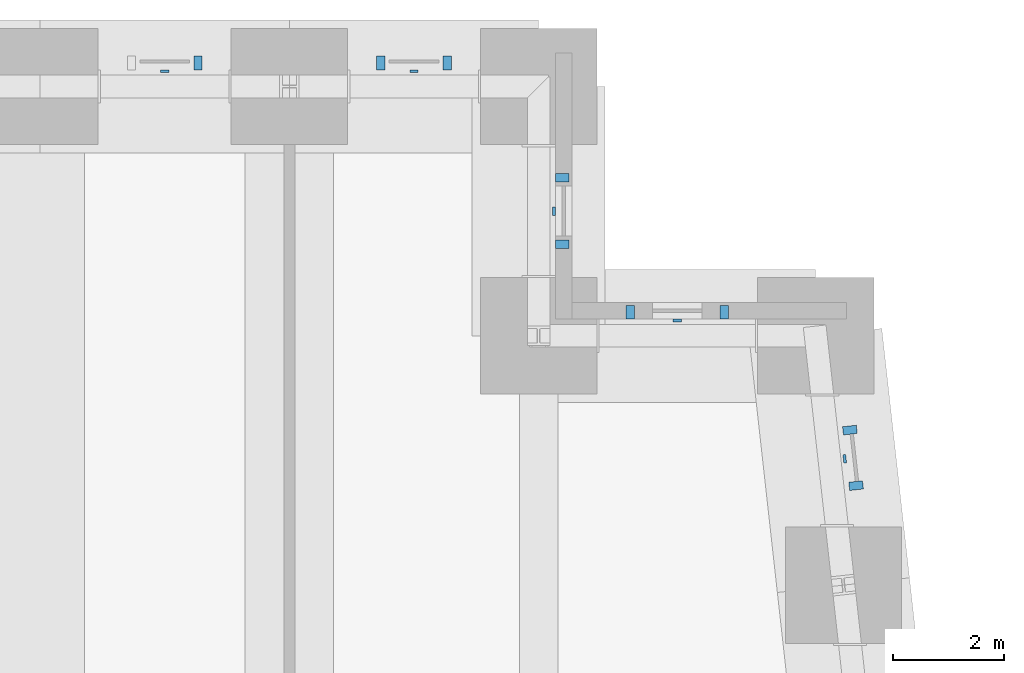
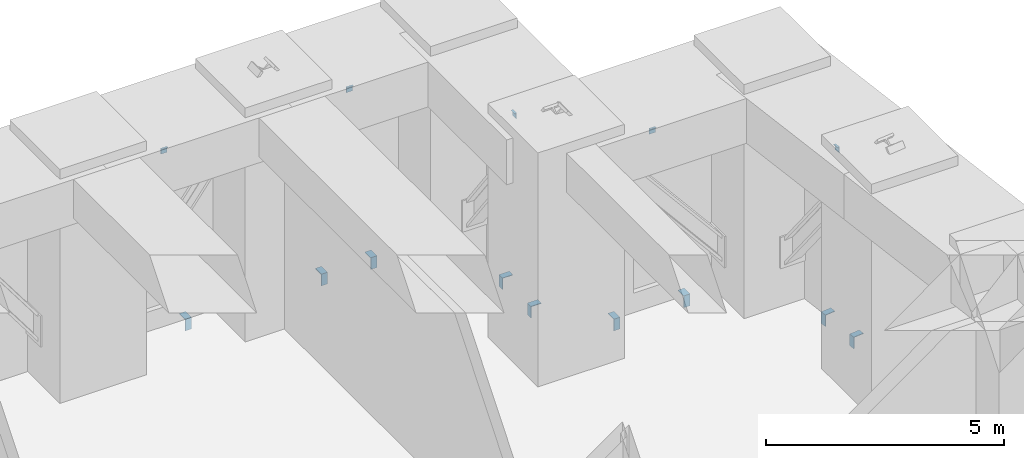
# One storey, part 15 of 17: 14 discrete accessories.
"""IFC4 building model written with IfcOpenShell, lengths in metres."""

from ifc_helpers import new_model, si_unit, direction, frame, origin, place, context, subcontext, project, spatial, polyline, outline, extrude, source, transform, mapped, material, layer, layer_set, type_object, element, save


model = new_model("IFC4")

# Units and contexts
model_context = context("Model", 3, precision=1e-05, world=origin(), true_north=direction((0.0, 1.0)))
body_context = subcontext(model_context, "Body", "Model", "MODEL_VIEW")
ifc_project = project(units=[si_unit("LENGTHUNIT", "METRE"), si_unit("AREAUNIT", "SQUARE_METRE"), si_unit("VOLUMEUNIT", "CUBIC_METRE"), si_unit("PLANEANGLEUNIT", "RADIAN"), si_unit("MASSUNIT", "GRAM", prefix="KILO")], contexts=[model_context])

# Site, building, storey
site_placement = place(None, origin())
site = spatial("IfcSite", under=ifc_project, at=site_placement, CompositionType="ELEMENT")
building_placement = place(site_placement, origin())
building = spatial("IfcBuilding", under=site, at=building_placement, Name="Kilele Tower Hotel", CompositionType="ELEMENT")
storey_placement = place(building_placement, frame((0.0, 0.0, 211.39990234375)))
storey = spatial("IfcBuildingStorey", under=building, at=storey_placement, Name="L55", CompositionType="ELEMENT", Elevation=211.39990234375)

# Discrete accessories
ifc_material_1 = material(Name="Hot-dip galvanized steel S355", Category="steel")
ifc_layer_1 = layer(ifc_material_1, 0.014892578125)
ifc_layer_set_1 = layer_set([ifc_layer_1], Name="Hot-dip galvanized steel S355")
discrete_accessory_type_1 = type_object("IfcDiscreteAccessoryType", Name="Facade panel bearing bracket 250x150x15", PredefinedType="BRACKET", material=ifc_layer_set_1)
shared_shape_1 = source(origin(), body_context, "Body", "SweptSolid", [
    extrude(outline(polyline([(0.0, 0.0), (0.25, 0.0), (0.25, -0.014892578125), (0.014892578125, -0.014892578125), (0.014892578125, -0.300048828125), (0.0, -0.300048828125), (0.0, 0.0)])), origin(), (0.0, 0.0, 1.0), 0.14990234375),
])
for number, where, z_axis, x_axis, name in (
    (1, (46.095703125, 33.3564453125, 0.0), (0.110432, -0.993884, 0.0), (0.993884, 0.110432, 0.0), "Facade panel bearing bracket L55"),
    (2, (45.984130859375, 34.35888671875, 0.0), (0.110432, -0.993884, 0.0), (0.993884, 0.110432, 0.0), "Facade panel bearing bracket L55"),
    (3, (43.77490234375, 36.300048828125, 0.0), (1.0, 0.0, 0.0), (0.0, 1.0, 0.0), "Facade panel bearing bracket L55"),
    (4, (42.074951171875, 36.300048828125, 0.0), (1.0, 0.0, 0.0), (0.0, 1.0, 0.0), "Facade panel bearing bracket L55"),
    (5, (40.800048828125, 37.72509765625, 0.0), (0.0, -1.0, 0.0), (1.0, 0.0, 0.0), "Facade panel bearing bracket L55"),
    (6, (40.800048828125, 38.925048828125, 0.0), (0.0, -1.0, 0.0), (1.0, 0.0, 0.0), "Facade panel bearing bracket L55"),
    (7, (38.77490234375, 40.800048828125, 0.0), (1.0, 0.0, 0.0), (0.0, 1.0, 0.0), "Facade panel bearing bracket L55"),
    (8, (37.574951171875, 40.800048828125, 0.0), (1.0, 0.0, 0.0), (0.0, 1.0, 0.0), "Facade panel bearing bracket L55"),
    (9, (34.27490234375, 40.800048828125, 0.0), (1.0, 0.0, 0.0), (0.0, 1.0, 0.0), "Facade panel bearing bracket L55"),
):
    element("IfcDiscreteAccessory", number, at=place(storey_placement, frame(where, z_axis=z_axis, x_axis=x_axis)), inside=storey, type_object=discrete_accessory_type_1, Name=name, PredefinedType="BRACKET", context=body_context, shape_type="MappedRepresentation", body=[
        mapped(shared_shape_1, transform((0.0, 0.0, 0.0))),
    ])
ifc_material_2 = material(Name="Hot-dip galvanized steel S355", Category="steel")
ifc_layer_2 = layer(ifc_material_2, 0.011962890625)
ifc_layer_set_2 = layer_set([ifc_layer_2], Name="Hot-dip galvanized steel S355")
discrete_accessory_type_2 = type_object("IfcDiscreteAccessoryType", Name="Facade panel restraint bracket 150x50x12", PredefinedType="BRACKET", material=ifc_layer_set_2)
shared_shape_2 = source(origin(), body_context, "Body", "SweptSolid", [
    extrude(outline(polyline([(0.0, 0.0), (0.0, -0.14990234375), (-0.011962890625, -0.14990234375), (-0.011962890625, -0.011962890625), (-0.050048828125, -0.011962890625), (-0.050048828125, 0.0), (0.0, 0.0)])), origin(), (0.0, 0.0, 1.0), 0.14990234375),
])
for number, where, z_axis, x_axis, name in (
    (10, (46.039794921875, 33.857666015625, 4.60009765625), (0.110432, -0.993884, 0.0), (0.993884, 0.110432, 0.0), "Facade panel restraint bracket L55"),
    (11, (42.925048828125, 36.300048828125, 4.60009765625), (1.0, 0.0, 0.0), (0.0, 1.0, 0.0), "Facade panel restraint bracket L55"),
    (12, (40.800048828125, 38.324951171875, 4.60009765625), (0.0, -1.0, 0.0), (1.0, 0.0, 0.0), "Facade panel restraint bracket L55"),
    (13, (38.175048828125, 40.800048828125, 4.60009765625), (1.0, 0.0, 0.0), (0.0, 1.0, 0.0), "Facade panel restraint bracket L55"),
    (14, (33.675048828125, 40.800048828125, 4.60009765625), (1.0, 0.0, 0.0), (0.0, 1.0, 0.0), "Facade panel restraint bracket L55"),
):
    element("IfcDiscreteAccessory", number, at=place(storey_placement, frame(where, z_axis=z_axis, x_axis=x_axis)), inside=storey, type_object=discrete_accessory_type_2, Name=name, PredefinedType="BRACKET", context=body_context, shape_type="MappedRepresentation", body=[
        mapped(shared_shape_2, transform((0.0, 0.0, 0.0))),
    ])

save(model, "model.ifc")
